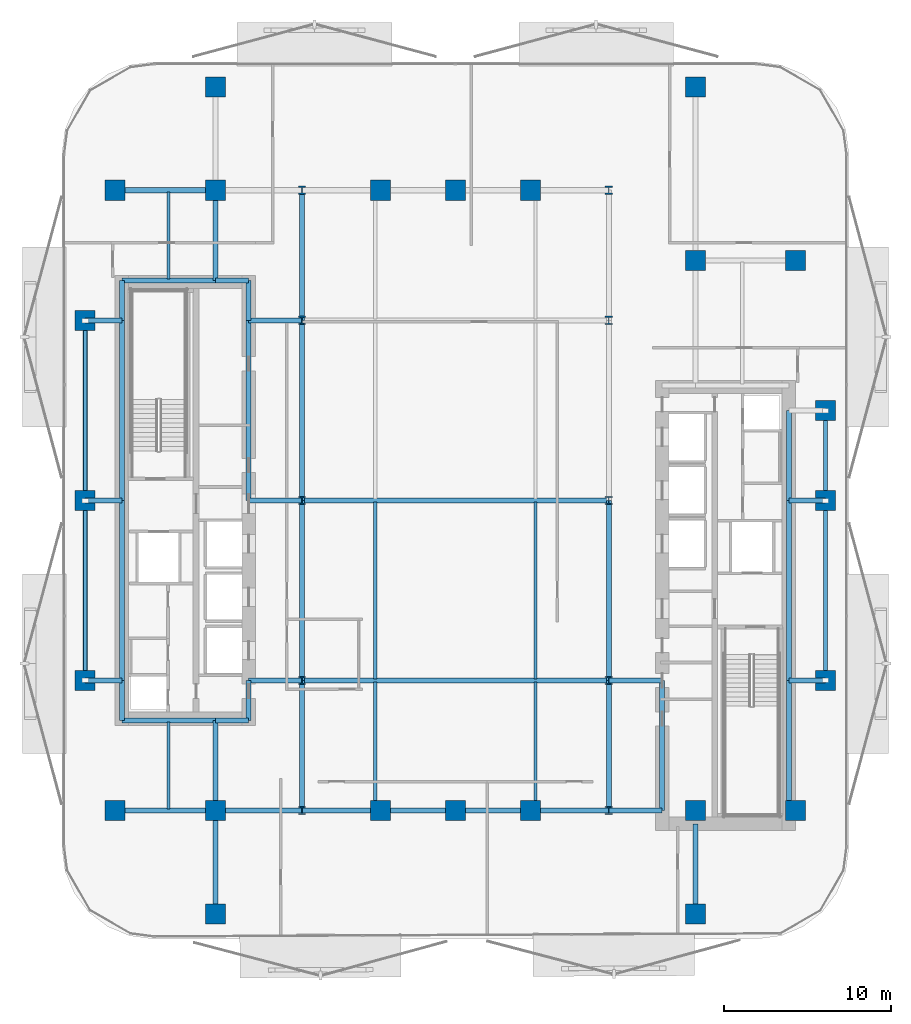
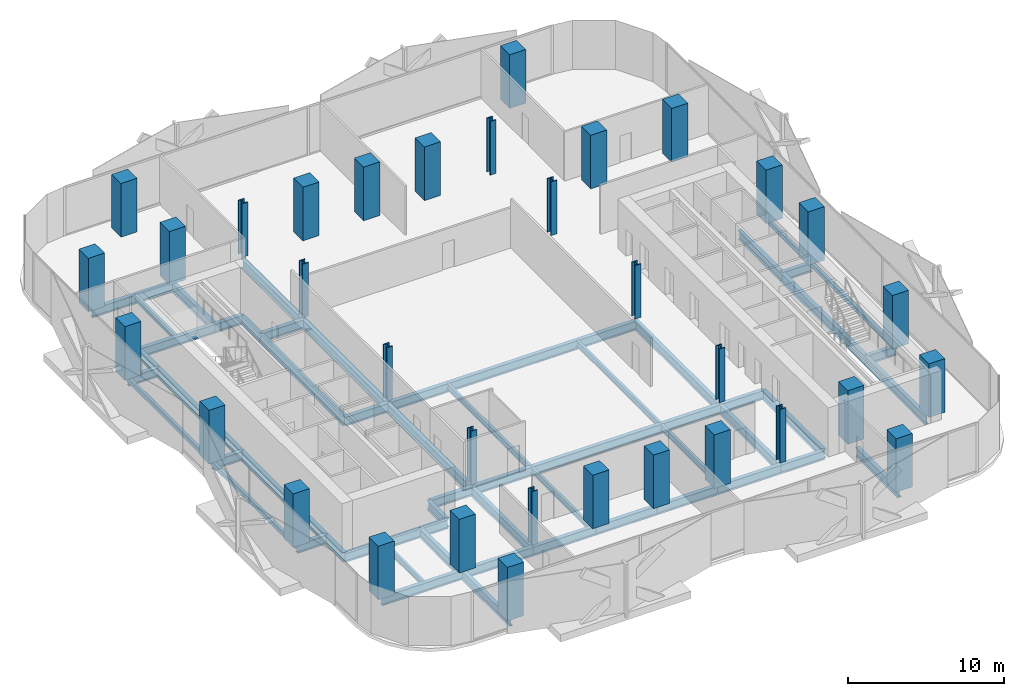
# One storey, part 1 of 15: 54 beams, 34 columns.
"""IFC4 building model written with IfcOpenShell, lengths in metres."""

from ifc_helpers import new_model, si_unit, direction, frame, origin, origin_2d, place, context, subcontext, project, spatial, rectangle, hollow_rectangle, i_section, extrude, material, material_profile, profile_set, type_object, element, save


model = new_model("IFC4")

# Units and contexts
model_context = context("Model", 3, precision=1e-05, world=origin(), true_north=direction((0.0, 1.0)))
body_context = subcontext(model_context, "Body", "Model", "MODEL_VIEW")
ifc_project = project(units=[si_unit("LENGTHUNIT", "METRE"), si_unit("AREAUNIT", "SQUARE_METRE"), si_unit("VOLUMEUNIT", "CUBIC_METRE"), si_unit("PLANEANGLEUNIT", "RADIAN"), si_unit("MASSUNIT", "GRAM", prefix="KILO")], contexts=[model_context])

# Site, building, storey
site_placement = place(None, origin())
site = spatial("IfcSite", under=ifc_project, at=site_placement, CompositionType="ELEMENT")
building_placement = place(site_placement, origin())
building = spatial("IfcBuilding", under=site, at=building_placement, Name="Khairoan Windgate Tower", CompositionType="ELEMENT")
storey_placement = place(building_placement, frame((0.0, 0.0, 147.800048828125)))
storey = spatial("IfcBuildingStorey", under=building, at=storey_placement, Name="L34", CompositionType="ELEMENT", Elevation=147.800048828125)

# Columns
ifc_material_1 = material(Name="Concrete C60/75", Category="concrete")
ifc_material_profile_1 = material_profile(ifc_material_1, rectangle(XDim=1.199951171875, YDim=1.199951171875, at=origin_2d()))
ifc_profile_set_1 = profile_set([ifc_material_profile_1], Name="Concrete C60/75")
column_type_1 = type_object("IfcColumnType", Name="Column C-T3 RC1200x1200", PredefinedType="COLUMN", material=ifc_profile_set_1)
for number, where, z_axis, x_axis, name in (
    (1, (-20.39990234375, -18.60009765625, 0.0), (0.0, 0.0, 1.0), (1.0, 0.0, 0.0), "Column L34-11"),
    (2, (-20.39990234375, 18.60009765625, 0.0), (0.0, 0.0, 1.0), (1.0, 0.0, 0.0), "Column L34-12"),
    (3, (20.39990234375, -18.60009765625, 0.0), (0.0, 0.0, 1.0), (1.0, 0.0, 0.0), "Column L34-13"),
    (4, (20.39990234375, 14.39990234375, 0.0), (0.0, 0.0, 1.0), (1.0, 0.0, 0.0), "Column L34-14"),
    (5, (-14.39990234375, -18.60009765625, 0.0), (0.0, 0.0, 1.0), (1.0, 0.0, 0.0), "Column L34-15"),
    (6, (-14.39990234375, 18.60009765625, 0.0), (0.0, 0.0, 1.0), (1.0, 0.0, 0.0), "Column L34-16"),
    (7, (14.39990234375, -18.60009765625, 0.0), (0.0, 0.0, 1.0), (1.0, 0.0, 0.0), "Column L34-17"),
    (8, (14.39990234375, 14.39990234375, 0.0), (0.0, 0.0, 1.0), (1.0, 0.0, 0.0), "Column L34-18"),
    (9, (-4.5, -18.60009765625, 0.0), (0.0, 0.0, 1.0), (1.0, 0.0, 0.0), "Column L34-19"),
    (10, (0.0, -18.60009765625, 0.0), (0.0, 0.0, 1.0), (1.0, 0.0, 0.0), "Column L34-20"),
    (11, (4.5, -18.60009765625, 0.0), (0.0, 0.0, 1.0), (1.0, 0.0, 0.0), "Column L34-21"),
    (12, (-4.5, 18.60009765625, 0.0), (0.0, 0.0, 1.0), (1.0, 0.0, 0.0), "Column L34-22"),
    (13, (0.0, 18.60009765625, 0.0), (0.0, 0.0, 1.0), (1.0, 0.0, 0.0), "Column L34-23"),
    (14, (4.5, 18.60009765625, 0.0), (0.0, 0.0, 1.0), (1.0, 0.0, 0.0), "Column L34-24"),
    (15, (-22.199951171875, -10.800048828125, 0.0), (0.0, 0.0, 1.0), (1.0, 0.0, 0.0), "Column L34-25"),
    (16, (-22.199951171875, 0.0, 0.0), (0.0, 0.0, 1.0), (1.0, 0.0, 0.0), "Column L34-26"),
    (17, (-22.199951171875, 10.800048828125, 0.0), (0.0, 0.0, 1.0), (1.0, 0.0, 0.0), "Column L34-27"),
    (18, (22.199951171875, -10.800048828125, 0.0), (0.0, 0.0, 1.0), (1.0, 0.0, 0.0), "Column L34-28"),
    (19, (22.199951171875, 0.0, 0.0), (0.0, 0.0, 1.0), (1.0, 0.0, 0.0), "Column L34-29"),
    (20, (22.199951171875, 5.39990234375, 0.0), (0.0, 0.0, 1.0), (1.0, 0.0, 0.0), "Column L34-30"),
    (21, (-14.39990234375, -24.800048828125, 0.0), (0.0, 0.0, 1.0), (1.0, 0.0, 0.0), "Column L34-31"),
    (22, (-14.39990234375, 24.800048828125, 0.0), (0.0, 0.0, 1.0), (1.0, 0.0, 0.0), "Column L34-32"),
    (23, (14.39990234375, -24.800048828125, 0.0), (0.0, 0.0, 1.0), (1.0, 0.0, 0.0), "Column L34-33"),
    (24, (14.39990234375, 24.800048828125, 0.0), (0.0, 0.0, 1.0), (1.0, 0.0, 0.0), "Column L34-34"),
):
    element("IfcColumn", number, at=place(storey_placement, frame(where, z_axis=z_axis, x_axis=x_axis)), inside=storey, type_object=column_type_1, Name=name, PredefinedType="COLUMN", context=body_context, shape_type="SweptSolid", body=[
        extrude(rectangle(XDim=1.199951171875, YDim=1.199951171875, at=origin_2d()), origin(), (0.0, 0.0, 1.0), 4.199951171875),
    ])
ifc_material_2 = material(Name="Steel S355", Category="steel")
ifc_material_profile_2 = material_profile(ifc_material_2, i_section(OverallWidth=0.431884765625, OverallDepth=0.498046875, WebThickness=0.044921875, FlangeThickness=0.070068359375, FilletRadius=0.02197265625, at=origin_2d()))
ifc_profile_set_2 = profile_set([ifc_material_profile_2], Name="Steel S355")
column_type_2 = type_object("IfcColumnType", Name="Steel Column SC1 H498x432x45x70", PredefinedType="COLUMN", material=ifc_profile_set_2)
for number, where, z_axis, x_axis, name in (
    (25, (-9.199951171875, -18.60009765625, 0.0), (0.0, 0.0, 1.0), (1.0, 0.0, 0.0), "Column L34-01"),
    (26, (-9.199951171875, -10.800048828125, 0.0), (0.0, 0.0, 1.0), (1.0, 0.0, 0.0), "Column L34-02"),
    (27, (-9.199951171875, 0.0, 0.0), (0.0, 0.0, 1.0), (1.0, 0.0, 0.0), "Column L34-03"),
    (28, (-9.199951171875, 10.800048828125, 0.0), (0.0, 0.0, 1.0), (1.0, 0.0, 0.0), "Column L34-04"),
    (29, (-9.199951171875, 18.60009765625, 0.0), (0.0, 0.0, 1.0), (1.0, 0.0, 0.0), "Column L34-05"),
    (30, (9.199951171875, -18.60009765625, 0.0), (0.0, 0.0, 1.0), (1.0, 0.0, 0.0), "Column L34-06"),
    (31, (9.199951171875, -10.800048828125, 0.0), (0.0, 0.0, 1.0), (1.0, 0.0, 0.0), "Column L34-07"),
    (32, (9.199951171875, 0.0, 0.0), (0.0, 0.0, 1.0), (1.0, 0.0, 0.0), "Column L34-08"),
    (33, (9.199951171875, 10.800048828125, 0.0), (0.0, 0.0, 1.0), (1.0, 0.0, 0.0), "Column L34-09"),
    (34, (9.199951171875, 18.60009765625, 0.0), (0.0, 0.0, 1.0), (1.0, 0.0, 0.0), "Column L34-10"),
):
    element("IfcColumn", number, at=place(storey_placement, frame(where, z_axis=z_axis, x_axis=x_axis)), inside=storey, type_object=column_type_2, Name=name, PredefinedType="COLUMN", context=body_context, shape_type="SweptSolid", body=[
        extrude(i_section(OverallWidth=0.431884765625, OverallDepth=0.498046875, WebThickness=0.044921875, FlangeThickness=0.070068359375, FilletRadius=0.02197265625, at=origin_2d()), origin(), (0.0, 0.0, 1.0), 4.199951171875),
    ])

# Beams
ifc_material_3 = material(Name="Steel S355", Category="steel")
ifc_material_profile_3 = material_profile(ifc_material_3, i_section(OverallWidth=0.300048828125, OverallDepth=0.699951171875, WebThickness=0.012939453125, FlangeThickness=0.02392578125, FilletRadius=0.02587890625, at=origin_2d()))
ifc_profile_set_3 = profile_set([ifc_material_profile_3], Name="Steel S355")
beam_type_1 = type_object("IfcBeamType", Name="Beam B-G3 H700x300x13x24", PredefinedType="BEAM", material=ifc_profile_set_3)
beam_1_placement = place(storey_placement, frame((-20.39990234375, -18.60009765625, -0.610107421875), z_axis=(1.0, 0.0, 0.0), x_axis=(0.0, 1.0, 0.0)))
element("IfcBeam", 35, at=beam_1_placement, inside=storey, type_object=beam_type_1, Name="L34 E-W Primary Girder 01", PredefinedType="BEAM", context=body_context, shape_type="SweptSolid", body=[
    extrude(i_section(OverallWidth=0.300048828125, OverallDepth=0.699951171875, WebThickness=0.012939453125, FlangeThickness=0.02392578125, FilletRadius=0.02587890625, at=origin_2d()), origin(), (0.0, 0.0, 1.0), 6.0),
])
beam_2_placement = place(storey_placement, frame((-14.39990234375, -18.60009765625, -0.610107421875), z_axis=(1.0, 0.0, 0.0), x_axis=(0.0, 1.0, 0.0)))
element("IfcBeam", 36, at=beam_2_placement, inside=storey, type_object=beam_type_1, Name="L34 E-W Primary Girder 02", PredefinedType="BEAM", context=body_context, shape_type="SweptSolid", body=[
    extrude(i_section(OverallWidth=0.300048828125, OverallDepth=0.699951171875, WebThickness=0.012939453125, FlangeThickness=0.02392578125, FilletRadius=0.02587890625, at=origin_2d()), origin(), (0.0, 0.0, 1.0), 5.199951171875),
])
beam_3_placement = place(storey_placement, frame((-9.199951171875, -18.60009765625, -0.610107421875), z_axis=(1.0, 0.0, 0.0), x_axis=(0.0, 1.0, 0.0)))
element("IfcBeam", 37, at=beam_3_placement, inside=storey, type_object=beam_type_1, Name="L34 E-W Primary Girder 03", PredefinedType="BEAM", context=body_context, shape_type="SweptSolid", body=[
    extrude(i_section(OverallWidth=0.300048828125, OverallDepth=0.699951171875, WebThickness=0.012939453125, FlangeThickness=0.02392578125, FilletRadius=0.02587890625, at=origin_2d()), origin(), (0.0, 0.0, 1.0), 4.699951171875),
])
for number, where, z_axis, x_axis, name in (
    (38, (-4.5, -18.60009765625, -0.610107421875), (1.0, 0.0, 0.0), (0.0, 1.0, 0.0), "L34 E-W Primary Girder 04"),
    (39, (0.0, -18.60009765625, -0.610107421875), (1.0, 0.0, 0.0), (0.0, 1.0, 0.0), "L34 E-W Primary Girder 05"),
):
    element("IfcBeam", number, at=place(storey_placement, frame(where, z_axis=z_axis, x_axis=x_axis)), inside=storey, type_object=beam_type_1, Name=name, PredefinedType="BEAM", context=body_context, shape_type="SweptSolid", body=[
        extrude(i_section(OverallWidth=0.300048828125, OverallDepth=0.699951171875, WebThickness=0.012939453125, FlangeThickness=0.02392578125, FilletRadius=0.02587890625, at=origin_2d()), origin(), (0.0, 0.0, 1.0), 4.5),
    ])
beam_4_placement = place(storey_placement, frame((4.5, -18.60009765625, -0.610107421875), z_axis=(1.0, 0.0, 0.0), x_axis=(0.0, 1.0, 0.0)))
element("IfcBeam", 40, at=beam_4_placement, inside=storey, type_object=beam_type_1, Name="L34 E-W Primary Girder 06", PredefinedType="BEAM", context=body_context, shape_type="SweptSolid", body=[
    extrude(i_section(OverallWidth=0.300048828125, OverallDepth=0.699951171875, WebThickness=0.012939453125, FlangeThickness=0.02392578125, FilletRadius=0.02587890625, at=origin_2d()), origin(), (0.0, 0.0, 1.0), 4.699951171875),
])
beam_5_placement = place(storey_placement, frame((9.199951171875, -18.60009765625, -0.610107421875), z_axis=(1.0, 0.0, 0.0), x_axis=(0.0, 1.0, 0.0)))
element("IfcBeam", 41, at=beam_5_placement, inside=storey, type_object=beam_type_1, Name="L34 E-W Primary Girder 07", PredefinedType="BEAM", context=body_context, shape_type="SweptSolid", body=[
    extrude(i_section(OverallWidth=0.300048828125, OverallDepth=0.699951171875, WebThickness=0.012939453125, FlangeThickness=0.02392578125, FilletRadius=0.02587890625, at=origin_2d()), origin(), (0.0, 0.0, 1.0), 3.199951171875),
])
beam_6_placement = place(storey_placement, frame((-20.0, -13.199951171875, -0.610107421875), z_axis=(1.0, 0.0, 0.0), x_axis=(0.0, 1.0, 0.0)))
element("IfcBeam", 42, at=beam_6_placement, inside=storey, type_object=beam_type_1, Name="L34 E-W Primary Girder 08", PredefinedType="BEAM", context=body_context, shape_type="SweptSolid", body=[
    extrude(i_section(OverallWidth=0.300048828125, OverallDepth=0.699951171875, WebThickness=0.012939453125, FlangeThickness=0.02392578125, FilletRadius=0.02587890625, at=origin_2d()), origin(), (0.0, 0.0, 1.0), 5.60009765625),
])
beam_7_placement = place(storey_placement, frame((-14.39990234375, -13.199951171875, -0.610107421875), z_axis=(1.0, 0.0, 0.0), x_axis=(0.0, 1.0, 0.0)))
element("IfcBeam", 43, at=beam_7_placement, inside=storey, type_object=beam_type_1, Name="L34 E-W Primary Girder 09", PredefinedType="BEAM", context=body_context, shape_type="SweptSolid", body=[
    extrude(i_section(OverallWidth=0.300048828125, OverallDepth=0.699951171875, WebThickness=0.012939453125, FlangeThickness=0.02392578125, FilletRadius=0.02587890625, at=origin_2d()), origin(), (0.0, 0.0, 1.0), 2.0),
])
beam_8_placement = place(storey_placement, frame((-22.199951171875, -10.800048828125, -0.610107421875), z_axis=(1.0, 0.0, 0.0), x_axis=(0.0, 1.0, 0.0)))
element("IfcBeam", 44, at=beam_8_placement, inside=storey, type_object=beam_type_1, Name="L34 E-W Primary Girder 10", PredefinedType="BEAM", context=body_context, shape_type="SweptSolid", body=[
    extrude(i_section(OverallWidth=0.300048828125, OverallDepth=0.699951171875, WebThickness=0.012939453125, FlangeThickness=0.02392578125, FilletRadius=0.02587890625, at=origin_2d()), origin(), (0.0, 0.0, 1.0), 2.199951171875),
])
beam_9_placement = place(storey_placement, frame((-12.39990234375, -10.800048828125, -0.610107421875), z_axis=(1.0, 0.0, 0.0), x_axis=(0.0, 1.0, 0.0)))
element("IfcBeam", 45, at=beam_9_placement, inside=storey, type_object=beam_type_1, Name="L34 E-W Primary Girder 11", PredefinedType="BEAM", context=body_context, shape_type="SweptSolid", body=[
    extrude(i_section(OverallWidth=0.300048828125, OverallDepth=0.699951171875, WebThickness=0.012939453125, FlangeThickness=0.02392578125, FilletRadius=0.02587890625, at=origin_2d()), origin(), (0.0, 0.0, 1.0), 3.199951171875),
])
beam_10_placement = place(storey_placement, frame((-9.199951171875, -10.800048828125, -0.610107421875), z_axis=(1.0, 0.0, 0.0), x_axis=(0.0, 1.0, 0.0)))
element("IfcBeam", 46, at=beam_10_placement, inside=storey, type_object=beam_type_1, Name="L34 E-W Primary Girder 12", PredefinedType="BEAM", context=body_context, shape_type="SweptSolid", body=[
    extrude(i_section(OverallWidth=0.300048828125, OverallDepth=0.699951171875, WebThickness=0.012939453125, FlangeThickness=0.02392578125, FilletRadius=0.02587890625, at=origin_2d()), origin(), (0.0, 0.0, 1.0), 18.39990234375),
])
beam_11_placement = place(storey_placement, frame((9.199951171875, -10.800048828125, -0.610107421875), z_axis=(1.0, 0.0, 0.0), x_axis=(0.0, 1.0, 0.0)))
element("IfcBeam", 47, at=beam_11_placement, inside=storey, type_object=beam_type_1, Name="L34 E-W Primary Girder 13", PredefinedType="BEAM", context=body_context, shape_type="SweptSolid", body=[
    extrude(i_section(OverallWidth=0.300048828125, OverallDepth=0.699951171875, WebThickness=0.012939453125, FlangeThickness=0.02392578125, FilletRadius=0.02587890625, at=origin_2d()), origin(), (0.0, 0.0, 1.0), 3.199951171875),
])
for number, where, z_axis, x_axis, name in (
    (48, (20.0, -10.800048828125, -0.610107421875), (1.0, 0.0, 0.0), (0.0, 1.0, 0.0), "L34 E-W Primary Girder 14"),
    (49, (-22.199951171875, 0.0, -0.610107421875), (1.0, 0.0, 0.0), (0.0, 1.0, 0.0), "L34 E-W Primary Girder 15"),
):
    element("IfcBeam", number, at=place(storey_placement, frame(where, z_axis=z_axis, x_axis=x_axis)), inside=storey, type_object=beam_type_1, Name=name, PredefinedType="BEAM", context=body_context, shape_type="SweptSolid", body=[
        extrude(i_section(OverallWidth=0.300048828125, OverallDepth=0.699951171875, WebThickness=0.012939453125, FlangeThickness=0.02392578125, FilletRadius=0.02587890625, at=origin_2d()), origin(), (0.0, 0.0, 1.0), 2.199951171875),
    ])
beam_12_placement = place(storey_placement, frame((-12.39990234375, 0.0, -0.610107421875), z_axis=(1.0, 0.0, 0.0), x_axis=(0.0, 1.0, 0.0)))
element("IfcBeam", 50, at=beam_12_placement, inside=storey, type_object=beam_type_1, Name="L34 E-W Primary Girder 16", PredefinedType="BEAM", context=body_context, shape_type="SweptSolid", body=[
    extrude(i_section(OverallWidth=0.300048828125, OverallDepth=0.699951171875, WebThickness=0.012939453125, FlangeThickness=0.02392578125, FilletRadius=0.02587890625, at=origin_2d()), origin(), (0.0, 0.0, 1.0), 3.199951171875),
])
beam_13_placement = place(storey_placement, frame((-9.199951171875, 0.0, -0.610107421875), z_axis=(1.0, 0.0, 0.0), x_axis=(0.0, 1.0, 0.0)))
element("IfcBeam", 51, at=beam_13_placement, inside=storey, type_object=beam_type_1, Name="L34 E-W Primary Girder 17", PredefinedType="BEAM", context=body_context, shape_type="SweptSolid", body=[
    extrude(i_section(OverallWidth=0.300048828125, OverallDepth=0.699951171875, WebThickness=0.012939453125, FlangeThickness=0.02392578125, FilletRadius=0.02587890625, at=origin_2d()), origin(), (0.0, 0.0, 1.0), 18.39990234375),
])
for number, where, z_axis, x_axis, name in (
    (52, (20.0, 0.0, -0.610107421875), (1.0, 0.0, 0.0), (0.0, 1.0, 0.0), "L34 E-W Primary Girder 18"),
    (53, (-22.199951171875, 10.800048828125, -0.610107421875), (1.0, 0.0, 0.0), (0.0, 1.0, 0.0), "L34 E-W Primary Girder 22"),
):
    element("IfcBeam", number, at=place(storey_placement, frame(where, z_axis=z_axis, x_axis=x_axis)), inside=storey, type_object=beam_type_1, Name=name, PredefinedType="BEAM", context=body_context, shape_type="SweptSolid", body=[
        extrude(i_section(OverallWidth=0.300048828125, OverallDepth=0.699951171875, WebThickness=0.012939453125, FlangeThickness=0.02392578125, FilletRadius=0.02587890625, at=origin_2d()), origin(), (0.0, 0.0, 1.0), 2.199951171875),
    ])
beam_14_placement = place(storey_placement, frame((-12.39990234375, 10.800048828125, -0.610107421875), z_axis=(1.0, 0.0, 0.0), x_axis=(0.0, 1.0, 0.0)))
element("IfcBeam", 54, at=beam_14_placement, inside=storey, type_object=beam_type_1, Name="L34 E-W Primary Girder 23", PredefinedType="BEAM", context=body_context, shape_type="SweptSolid", body=[
    extrude(i_section(OverallWidth=0.300048828125, OverallDepth=0.699951171875, WebThickness=0.012939453125, FlangeThickness=0.02392578125, FilletRadius=0.02587890625, at=origin_2d()), origin(), (0.0, 0.0, 1.0), 3.199951171875),
])
beam_15_placement = place(storey_placement, frame((-20.0, 13.199951171875, -0.610107421875), z_axis=(1.0, 0.0, 0.0), x_axis=(0.0, 1.0, 0.0)))
element("IfcBeam", 55, at=beam_15_placement, inside=storey, type_object=beam_type_1, Name="L34 E-W Primary Girder 25", PredefinedType="BEAM", context=body_context, shape_type="SweptSolid", body=[
    extrude(i_section(OverallWidth=0.300048828125, OverallDepth=0.699951171875, WebThickness=0.012939453125, FlangeThickness=0.02392578125, FilletRadius=0.02587890625, at=origin_2d()), origin(), (0.0, 0.0, 1.0), 5.60009765625),
])
beam_16_placement = place(storey_placement, frame((-14.39990234375, 13.199951171875, -0.610107421875), z_axis=(1.0, 0.0, 0.0), x_axis=(0.0, 1.0, 0.0)))
element("IfcBeam", 56, at=beam_16_placement, inside=storey, type_object=beam_type_1, Name="L34 E-W Primary Girder 26", PredefinedType="BEAM", context=body_context, shape_type="SweptSolid", body=[
    extrude(i_section(OverallWidth=0.300048828125, OverallDepth=0.699951171875, WebThickness=0.012939453125, FlangeThickness=0.02392578125, FilletRadius=0.02587890625, at=origin_2d()), origin(), (0.0, 0.0, 1.0), 2.0),
])
beam_17_placement = place(storey_placement, frame((-20.39990234375, 18.60009765625, -0.610107421875), z_axis=(1.0, 0.0, 0.0), x_axis=(0.0, 1.0, 0.0)))
element("IfcBeam", 57, at=beam_17_placement, inside=storey, type_object=beam_type_1, Name="L34 E-W Primary Girder 28", PredefinedType="BEAM", context=body_context, shape_type="SweptSolid", body=[
    extrude(i_section(OverallWidth=0.300048828125, OverallDepth=0.699951171875, WebThickness=0.012939453125, FlangeThickness=0.02392578125, FilletRadius=0.02587890625, at=origin_2d()), origin(), (0.0, 0.0, 1.0), 6.0),
])
beam_18_placement = place(storey_placement, frame((-20.0, -13.199951171875, -0.610107421875), z_axis=(0.0, 1.0, 0.0), x_axis=(-1.0, 0.0, 0.0)))
element("IfcBeam", 58, at=beam_18_placement, inside=storey, type_object=beam_type_1, Name="L34 N-S Primary Beam 36", PredefinedType="BEAM", context=body_context, shape_type="SweptSolid", body=[
    extrude(i_section(OverallWidth=0.300048828125, OverallDepth=0.699951171875, WebThickness=0.012939453125, FlangeThickness=0.02392578125, FilletRadius=0.02587890625, at=origin_2d()), origin(), (0.0, 0.0, 1.0), 2.39990234375),
])
for number, where, z_axis, x_axis, name in (
    (59, (-20.0, -10.800048828125, -0.610107421875), (0.0, 1.0, 0.0), (-1.0, 0.0, 0.0), "L34 N-S Primary Beam 37"),
    (60, (-20.0, 0.0, -0.610107421875), (0.0, 1.0, 0.0), (-1.0, 0.0, 0.0), "L34 N-S Primary Beam 38"),
):
    element("IfcBeam", number, at=place(storey_placement, frame(where, z_axis=z_axis, x_axis=x_axis)), inside=storey, type_object=beam_type_1, Name=name, PredefinedType="BEAM", context=body_context, shape_type="SweptSolid", body=[
        extrude(i_section(OverallWidth=0.300048828125, OverallDepth=0.699951171875, WebThickness=0.012939453125, FlangeThickness=0.02392578125, FilletRadius=0.02587890625, at=origin_2d()), origin(), (0.0, 0.0, 1.0), 10.800048828125),
    ])
beam_19_placement = place(storey_placement, frame((-20.0, 10.800048828125, -0.610107421875), z_axis=(0.0, 1.0, 0.0), x_axis=(-1.0, 0.0, 0.0)))
element("IfcBeam", 61, at=beam_19_placement, inside=storey, type_object=beam_type_1, Name="L34 N-S Primary Beam 39", PredefinedType="BEAM", context=body_context, shape_type="SweptSolid", body=[
    extrude(i_section(OverallWidth=0.300048828125, OverallDepth=0.699951171875, WebThickness=0.012939453125, FlangeThickness=0.02392578125, FilletRadius=0.02587890625, at=origin_2d()), origin(), (0.0, 0.0, 1.0), 2.39990234375),
])
beam_20_placement = place(storey_placement, frame((-14.39990234375, -24.800048828125, -0.610107421875), z_axis=(0.0, 1.0, 0.0), x_axis=(-1.0, 0.0, 0.0)))
element("IfcBeam", 62, at=beam_20_placement, inside=storey, type_object=beam_type_1, Name="L34 N-S Primary Beam 40", PredefinedType="BEAM", context=body_context, shape_type="SweptSolid", body=[
    extrude(i_section(OverallWidth=0.300048828125, OverallDepth=0.699951171875, WebThickness=0.012939453125, FlangeThickness=0.02392578125, FilletRadius=0.02587890625, at=origin_2d()), origin(), (0.0, 0.0, 1.0), 6.199951171875),
])
for number, where, z_axis, x_axis, name in (
    (63, (-14.39990234375, -18.60009765625, -0.610107421875), (0.0, 1.0, 0.0), (-1.0, 0.0, 0.0), "L34 N-S Primary Beam 41"),
    (64, (-14.39990234375, 13.199951171875, -0.610107421875), (0.0, 1.0, 0.0), (-1.0, 0.0, 0.0), "L34 N-S Primary Beam 42"),
):
    element("IfcBeam", number, at=place(storey_placement, frame(where, z_axis=z_axis, x_axis=x_axis)), inside=storey, type_object=beam_type_1, Name=name, PredefinedType="BEAM", context=body_context, shape_type="SweptSolid", body=[
        extrude(i_section(OverallWidth=0.300048828125, OverallDepth=0.699951171875, WebThickness=0.012939453125, FlangeThickness=0.02392578125, FilletRadius=0.02587890625, at=origin_2d()), origin(), (0.0, 0.0, 1.0), 5.400146484375),
    ])
beam_21_placement = place(storey_placement, frame((-12.39990234375, -13.199951171875, -0.610107421875), z_axis=(0.0, 1.0, 0.0), x_axis=(-1.0, 0.0, 0.0)))
element("IfcBeam", 65, at=beam_21_placement, inside=storey, type_object=beam_type_1, Name="L34 N-S Primary Beam 44", PredefinedType="BEAM", context=body_context, shape_type="SweptSolid", body=[
    extrude(i_section(OverallWidth=0.300048828125, OverallDepth=0.699951171875, WebThickness=0.012939453125, FlangeThickness=0.02392578125, FilletRadius=0.02587890625, at=origin_2d()), origin(), (0.0, 0.0, 1.0), 2.39990234375),
])
beam_22_placement = place(storey_placement, frame((-12.39990234375, 0.0, -0.610107421875), z_axis=(0.0, 1.0, 0.0), x_axis=(-1.0, 0.0, 0.0)))
element("IfcBeam", 66, at=beam_22_placement, inside=storey, type_object=beam_type_1, Name="L34 N-S Primary Beam 45", PredefinedType="BEAM", context=body_context, shape_type="SweptSolid", body=[
    extrude(i_section(OverallWidth=0.300048828125, OverallDepth=0.699951171875, WebThickness=0.012939453125, FlangeThickness=0.02392578125, FilletRadius=0.02587890625, at=origin_2d()), origin(), (0.0, 0.0, 1.0), 10.800048828125),
])
beam_23_placement = place(storey_placement, frame((-12.39990234375, 10.800048828125, -0.610107421875), z_axis=(0.0, 1.0, 0.0), x_axis=(-1.0, 0.0, 0.0)))
element("IfcBeam", 67, at=beam_23_placement, inside=storey, type_object=beam_type_1, Name="L34 N-S Primary Beam 46", PredefinedType="BEAM", context=body_context, shape_type="SweptSolid", body=[
    extrude(i_section(OverallWidth=0.300048828125, OverallDepth=0.699951171875, WebThickness=0.012939453125, FlangeThickness=0.02392578125, FilletRadius=0.02587890625, at=origin_2d()), origin(), (0.0, 0.0, 1.0), 2.39990234375),
])
beam_24_placement = place(storey_placement, frame((-9.199951171875, -18.60009765625, -0.610107421875), z_axis=(0.0, 1.0, 0.0), x_axis=(-1.0, 0.0, 0.0)))
element("IfcBeam", 68, at=beam_24_placement, inside=storey, type_object=beam_type_1, Name="L34 N-S Primary Beam 47", PredefinedType="BEAM", context=body_context, shape_type="SweptSolid", body=[
    extrude(i_section(OverallWidth=0.300048828125, OverallDepth=0.699951171875, WebThickness=0.012939453125, FlangeThickness=0.02392578125, FilletRadius=0.02587890625, at=origin_2d()), origin(), (0.0, 0.0, 1.0), 7.800048828125),
])
for number, where, z_axis, x_axis, name in (
    (69, (-9.199951171875, -10.800048828125, -0.610107421875), (0.0, 1.0, 0.0), (-1.0, 0.0, 0.0), "L34 N-S Primary Beam 48"),
    (70, (-9.199951171875, 0.0, -0.610107421875), (0.0, 1.0, 0.0), (-1.0, 0.0, 0.0), "L34 N-S Primary Beam 49"),
):
    element("IfcBeam", number, at=place(storey_placement, frame(where, z_axis=z_axis, x_axis=x_axis)), inside=storey, type_object=beam_type_1, Name=name, PredefinedType="BEAM", context=body_context, shape_type="SweptSolid", body=[
        extrude(i_section(OverallWidth=0.300048828125, OverallDepth=0.699951171875, WebThickness=0.012939453125, FlangeThickness=0.02392578125, FilletRadius=0.02587890625, at=origin_2d()), origin(), (0.0, 0.0, 1.0), 10.800048828125),
    ])
for number, where, z_axis, x_axis, name in (
    (71, (-9.199951171875, 10.800048828125, -0.610107421875), (0.0, 1.0, 0.0), (-1.0, 0.0, 0.0), "L34 N-S Primary Beam 50"),
    (72, (9.199951171875, -18.60009765625, -0.610107421875), (0.0, 1.0, 0.0), (-1.0, 0.0, 0.0), "L34 N-S Primary Beam 51"),
):
    element("IfcBeam", number, at=place(storey_placement, frame(where, z_axis=z_axis, x_axis=x_axis)), inside=storey, type_object=beam_type_1, Name=name, PredefinedType="BEAM", context=body_context, shape_type="SweptSolid", body=[
        extrude(i_section(OverallWidth=0.300048828125, OverallDepth=0.699951171875, WebThickness=0.012939453125, FlangeThickness=0.02392578125, FilletRadius=0.02587890625, at=origin_2d()), origin(), (0.0, 0.0, 1.0), 7.800048828125),
    ])
beam_25_placement = place(storey_placement, frame((9.199951171875, -10.800048828125, -0.610107421875), z_axis=(0.0, 1.0, 0.0), x_axis=(-1.0, 0.0, 0.0)))
element("IfcBeam", 73, at=beam_25_placement, inside=storey, type_object=beam_type_1, Name="L34 N-S Primary Beam 52", PredefinedType="BEAM", context=body_context, shape_type="SweptSolid", body=[
    extrude(i_section(OverallWidth=0.300048828125, OverallDepth=0.699951171875, WebThickness=0.012939453125, FlangeThickness=0.02392578125, FilletRadius=0.02587890625, at=origin_2d()), origin(), (0.0, 0.0, 1.0), 10.800048828125),
])
beam_26_placement = place(storey_placement, frame((12.39990234375, -18.60009765625, -0.610107421875), z_axis=(0.0, 1.0, 0.0), x_axis=(-1.0, 0.0, 0.0)))
element("IfcBeam", 74, at=beam_26_placement, inside=storey, type_object=beam_type_1, Name="L34 N-S Primary Beam 55", PredefinedType="BEAM", context=body_context, shape_type="SweptSolid", body=[
    extrude(i_section(OverallWidth=0.300048828125, OverallDepth=0.699951171875, WebThickness=0.012939453125, FlangeThickness=0.02392578125, FilletRadius=0.02587890625, at=origin_2d()), origin(), (0.0, 0.0, 1.0), 7.800048828125),
])
beam_27_placement = place(storey_placement, frame((14.39990234375, -24.800048828125, -0.610107421875), z_axis=(0.0, 1.0, 0.0), x_axis=(-1.0, 0.0, 0.0)))
element("IfcBeam", 75, at=beam_27_placement, inside=storey, type_object=beam_type_1, Name="L34 N-S Primary Beam 56", PredefinedType="BEAM", context=body_context, shape_type="SweptSolid", body=[
    extrude(i_section(OverallWidth=0.300048828125, OverallDepth=0.699951171875, WebThickness=0.012939453125, FlangeThickness=0.02392578125, FilletRadius=0.02587890625, at=origin_2d()), origin(), (0.0, 0.0, 1.0), 5.400146484375),
])
beam_28_placement = place(storey_placement, frame((20.0, -18.60009765625, -0.610107421875), z_axis=(0.0, 1.0, 0.0), x_axis=(-1.0, 0.0, 0.0)))
element("IfcBeam", 76, at=beam_28_placement, inside=storey, type_object=beam_type_1, Name="L34 N-S Primary Beam 59", PredefinedType="BEAM", context=body_context, shape_type="SweptSolid", body=[
    extrude(i_section(OverallWidth=0.300048828125, OverallDepth=0.699951171875, WebThickness=0.012939453125, FlangeThickness=0.02392578125, FilletRadius=0.02587890625, at=origin_2d()), origin(), (0.0, 0.0, 1.0), 7.800048828125),
])
beam_29_placement = place(storey_placement, frame((20.0, -10.800048828125, -0.610107421875), z_axis=(0.0, 1.0, 0.0), x_axis=(-1.0, 0.0, 0.0)))
element("IfcBeam", 77, at=beam_29_placement, inside=storey, type_object=beam_type_1, Name="L34 N-S Primary Beam 60", PredefinedType="BEAM", context=body_context, shape_type="SweptSolid", body=[
    extrude(i_section(OverallWidth=0.300048828125, OverallDepth=0.699951171875, WebThickness=0.012939453125, FlangeThickness=0.02392578125, FilletRadius=0.02587890625, at=origin_2d()), origin(), (0.0, 0.0, 1.0), 10.800048828125),
])
beam_30_placement = place(storey_placement, frame((20.0, 0.0, -0.610107421875), z_axis=(0.0, 1.0, 0.0), x_axis=(-1.0, 0.0, 0.0)))
element("IfcBeam", 78, at=beam_30_placement, inside=storey, type_object=beam_type_1, Name="L34 N-S Primary Beam 61", PredefinedType="BEAM", context=body_context, shape_type="SweptSolid", body=[
    extrude(i_section(OverallWidth=0.300048828125, OverallDepth=0.699951171875, WebThickness=0.012939453125, FlangeThickness=0.02392578125, FilletRadius=0.02587890625, at=origin_2d()), origin(), (0.0, 0.0, 1.0), 5.39990234375),
])
ifc_material_4 = material(Name="Steel S355", Category="steel")
ifc_material_profile_4 = material_profile(ifc_material_4, i_section(OverallWidth=0.199951171875, OverallDepth=0.449951171875, WebThickness=0.009033203125, FlangeThickness=0.013916015625, FilletRadius=0.01806640625, at=origin_2d()))
ifc_profile_set_4 = profile_set([ifc_material_profile_4], Name="Steel S355")
beam_type_2 = type_object("IfcBeamType", Name="Beam J-S3 H450x200x9x14", PredefinedType="JOIST", material=ifc_profile_set_4)
for number, where, z_axis, x_axis, name in (
    (79, (-17.199951171875, -18.510009765625, -0.485107421875), (0.0, 1.0, 0.0), (-1.0, 0.0, 0.0), "L34 Secondary Floor Joist 01"),
    (80, (-17.199951171875, 13.2900390625, -0.485107421875), (0.0, 1.0, 0.0), (-1.0, 0.0, 0.0), "L34 Secondary Floor Joist 02"),
):
    element("IfcBeam", number, at=place(storey_placement, frame(where, z_axis=z_axis, x_axis=x_axis)), inside=storey, type_object=beam_type_2, Name=name, PredefinedType="JOIST", context=body_context, shape_type="SweptSolid", body=[
        extrude(i_section(OverallWidth=0.199951171875, OverallDepth=0.449951171875, WebThickness=0.009033203125, FlangeThickness=0.013916015625, FilletRadius=0.01806640625, at=origin_2d()), origin(), (0.0, 0.0, 1.0), 5.219970703125),
    ])
beam_31_placement = place(storey_placement, frame((-4.800048828125, -18.510009765625, -0.485107421875), z_axis=(0.0, 1.0, 0.0), x_axis=(-1.0, 0.0, 0.0)))
element("IfcBeam", 81, at=beam_31_placement, inside=storey, type_object=beam_type_2, Name="L34 Secondary Floor Joist 03", PredefinedType="JOIST", context=body_context, shape_type="SweptSolid", body=[
    extrude(i_section(OverallWidth=0.199951171875, OverallDepth=0.449951171875, WebThickness=0.009033203125, FlangeThickness=0.013916015625, FilletRadius=0.01806640625, at=origin_2d()), origin(), (0.0, 0.0, 1.0), 7.6201171875),
])
beam_32_placement = place(storey_placement, frame((-4.800048828125, -10.7099609375, -0.485107421875), z_axis=(0.0, 1.0, 0.0), x_axis=(-1.0, 0.0, 0.0)))
element("IfcBeam", 82, at=beam_32_placement, inside=storey, type_object=beam_type_2, Name="L34 Secondary Floor Joist 04", PredefinedType="JOIST", context=body_context, shape_type="SweptSolid", body=[
    extrude(i_section(OverallWidth=0.199951171875, OverallDepth=0.449951171875, WebThickness=0.009033203125, FlangeThickness=0.013916015625, FilletRadius=0.01806640625, at=origin_2d()), origin(), (0.0, 0.0, 1.0), 10.619873046875),
])
beam_33_placement = place(storey_placement, frame((4.800048828125, -18.510009765625, -0.485107421875), z_axis=(0.0, 1.0, 0.0), x_axis=(-1.0, 0.0, 0.0)))
element("IfcBeam", 83, at=beam_33_placement, inside=storey, type_object=beam_type_2, Name="L34 Secondary Floor Joist 07", PredefinedType="JOIST", context=body_context, shape_type="SweptSolid", body=[
    extrude(i_section(OverallWidth=0.199951171875, OverallDepth=0.449951171875, WebThickness=0.009033203125, FlangeThickness=0.013916015625, FilletRadius=0.01806640625, at=origin_2d()), origin(), (0.0, 0.0, 1.0), 7.6201171875),
])
beam_34_placement = place(storey_placement, frame((4.800048828125, -10.7099609375, -0.485107421875), z_axis=(0.0, 1.0, 0.0), x_axis=(-1.0, 0.0, 0.0)))
element("IfcBeam", 84, at=beam_34_placement, inside=storey, type_object=beam_type_2, Name="L34 Secondary Floor Joist 08", PredefinedType="JOIST", context=body_context, shape_type="SweptSolid", body=[
    extrude(i_section(OverallWidth=0.199951171875, OverallDepth=0.449951171875, WebThickness=0.009033203125, FlangeThickness=0.013916015625, FilletRadius=0.01806640625, at=origin_2d()), origin(), (0.0, 0.0, 1.0), 10.619873046875),
])
ifc_material_5 = material(Name="Steel S355", Category="steel")
ifc_material_profile_5 = material_profile(ifc_material_5, hollow_rectangle(XDim=0.25, YDim=0.35009765625, WallThickness=0.012451171875, InnerFilletRadius=0.012451171875, OuterFilletRadius=0.02490234375, at=origin_2d()))
ifc_profile_set_5 = profile_set([ifc_material_profile_5], Name="Steel S355")
beam_type_3 = type_object("IfcBeamType", Name="Beam SP-B2 RHS350x250x12.5", PredefinedType="SPANDREL", material=ifc_profile_set_5)
for number, where, z_axis, x_axis, name in (
    (85, (-22.199951171875, -10.800048828125, -0.43505859375), (0.0, 1.0, 0.0), (-1.0, 0.0, 0.0), "L34 Spandrel Beam 34"),
    (86, (-22.199951171875, 0.0, -0.43505859375), (0.0, 1.0, 0.0), (-1.0, 0.0, 0.0), "L34 Spandrel Beam 35"),
    (87, (22.199951171875, -10.800048828125, -0.43505859375), (0.0, 1.0, 0.0), (-1.0, 0.0, 0.0), "L34 Spandrel Beam 62"),
):
    element("IfcBeam", number, at=place(storey_placement, frame(where, z_axis=z_axis, x_axis=x_axis)), inside=storey, type_object=beam_type_3, Name=name, PredefinedType="SPANDREL", context=body_context, shape_type="SweptSolid", body=[
        extrude(hollow_rectangle(XDim=0.25, YDim=0.35009765625, WallThickness=0.012451171875, InnerFilletRadius=0.012451171875, OuterFilletRadius=0.02490234375, at=origin_2d()), origin(), (0.0, 0.0, 1.0), 10.800048828125),
    ])
beam_35_placement = place(storey_placement, frame((22.199951171875, 0.0, -0.43505859375), z_axis=(0.0, 1.0, 0.0), x_axis=(-1.0, 0.0, 0.0)))
element("IfcBeam", 88, at=beam_35_placement, inside=storey, type_object=beam_type_3, Name="L34 Spandrel Beam 63", PredefinedType="SPANDREL", context=body_context, shape_type="SweptSolid", body=[
    extrude(hollow_rectangle(XDim=0.25, YDim=0.35009765625, WallThickness=0.012451171875, InnerFilletRadius=0.012451171875, OuterFilletRadius=0.02490234375, at=origin_2d()), origin(), (0.0, 0.0, 1.0), 5.39990234375),
])

save(model, "model.ifc")
